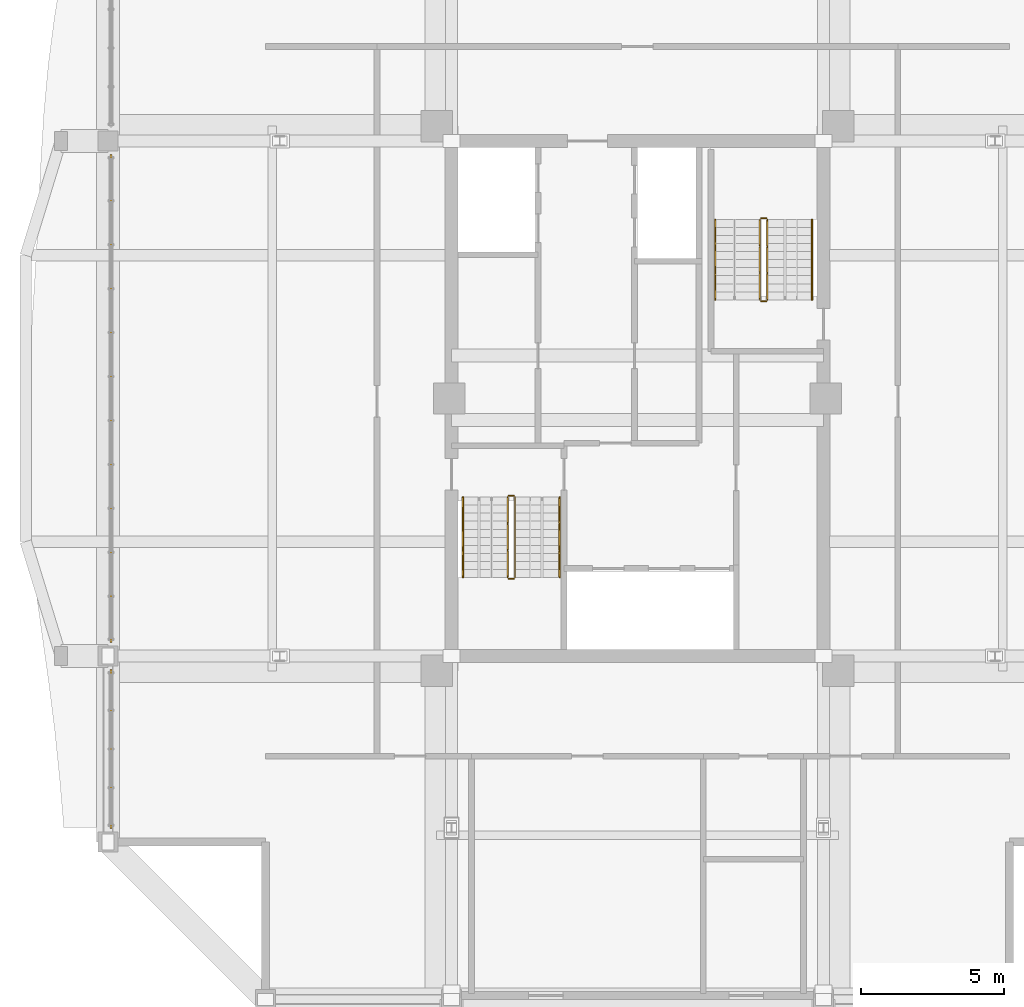
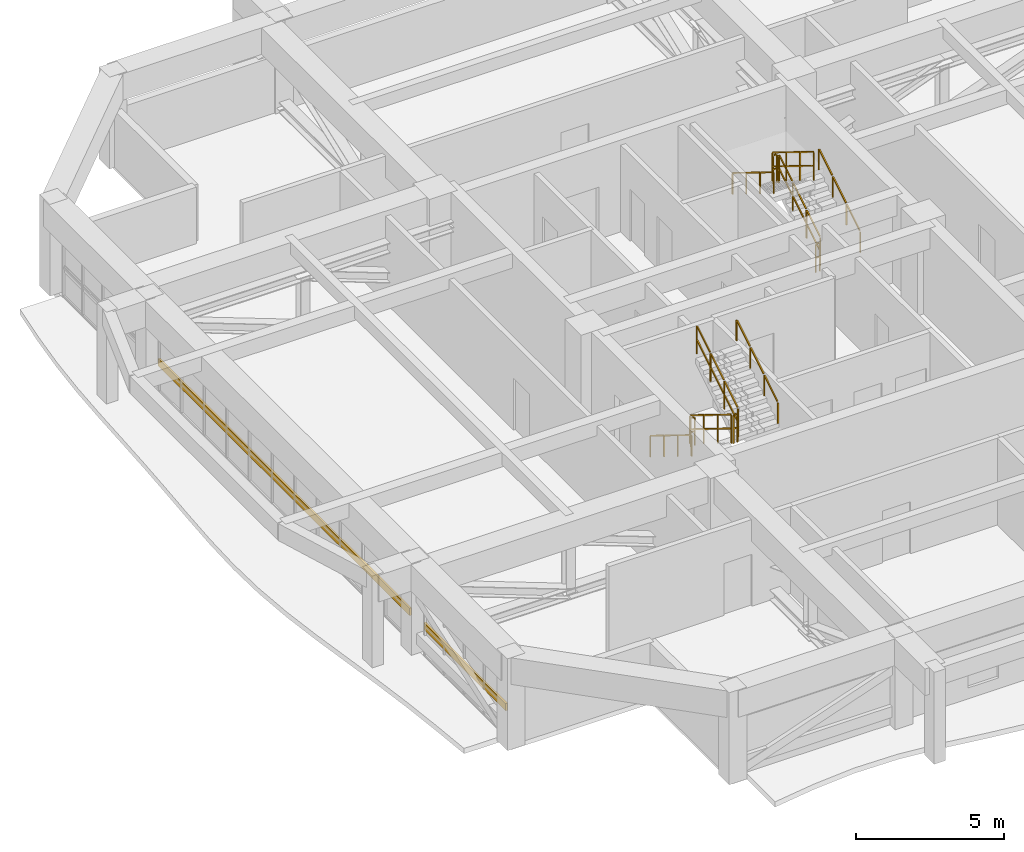
# One storey, part 24 of 25: 12 railings, 2 shading devices.
"""IFC4 building model written with IfcOpenShell, lengths in metres."""

from ifc_helpers import new_model, si_unit, direction, frame, origin, origin_2d, place, context, subcontext, project, spatial, rectangle, extrude, source, transform, mapped, material, material_profile, profile_set, type_object, element, save


model = new_model("IFC4")

# Units and contexts
model_context = context("Model", 3, precision=1e-05, world=origin(), true_north=direction((0.0, 1.0)))
body_context = subcontext(model_context, "Body", "Model", "MODEL_VIEW")
ifc_project = project(units=[si_unit("LENGTHUNIT", "METRE"), si_unit("AREAUNIT", "SQUARE_METRE"), si_unit("VOLUMEUNIT", "CUBIC_METRE"), si_unit("PLANEANGLEUNIT", "RADIAN"), si_unit("MASSUNIT", "GRAM", prefix="KILO")], contexts=[model_context])

# Site, building, storey
site_placement = place(None, origin())
site = spatial("IfcSite", under=ifc_project, at=site_placement, CompositionType="ELEMENT")
building_placement = place(site_placement, origin())
building = spatial("IfcBuilding", under=site, at=building_placement, Name="Saelheon Loggia Tower", CompositionType="ELEMENT")
storey_placement = place(building_placement, frame((0.0, 0.0, 206.5)))
storey = spatial("IfcBuildingStorey", under=building, at=storey_placement, Name="L64", CompositionType="ELEMENT", Elevation=206.5)

# Railings
ifc_material_1 = material(Name="Galvanised Steel S275 Stairwell Guardrail", Category="steel")
railing_type_1 = type_object("IfcRailingType", Name="Guard_StairWell_RL_STG", PredefinedType="GUARDRAIL", material=ifc_material_1)
railing_1_placement = place(storey_placement, frame((33.4599609375, 23.550048828125, 0.172607421875)))
element("IfcRailing", 1, at=railing_1_placement, inside=storey, type_object=railing_type_1, Name="L64 ST1 stair guard 1", PredefinedType="GUARDRAIL", context=body_context, shape_type="SweptSolid", body=[
    extrude(rectangle(XDim=0.048095703125, YDim=0.048095703125, at=origin_2d()), frame((0.0, -0.0283203125, 1.193359375), z_axis=(0.0, -0.851089632645, 0.525020415988), x_axis=(1.0, 0.0, 0.0)), (0.0, 0.0, 1.0), 1.0302734375),
    extrude(rectangle(XDim=0.048095703125, YDim=0.048095703125, at=origin_2d()), frame((0.0, -0.0283203125, 0.617431640625), z_axis=(0.0, -0.851089632645, 0.525020415988), x_axis=(1.0, 0.0, 0.0)), (0.0, 0.0, 1.0), 1.0302734375),
    extrude(rectangle(XDim=0.048095703125, YDim=0.048095703125, at=origin_2d()), frame((0.0, -0.961669921875, 1.76904296875), z_axis=(0.0, -0.851089632645, 0.525020415988), x_axis=(1.0, 0.0, 0.0)), (0.0, 0.0, 1.0), 1.0302734375),
    extrude(rectangle(XDim=0.048095703125, YDim=0.048095703125, at=origin_2d()), frame((0.0, -0.961669921875, 1.193115234375), z_axis=(0.0, -0.851089632645, 0.525020415988), x_axis=(1.0, 0.0, 0.0)), (0.0, 0.0, 1.0), 1.0302734375),
    extrude(rectangle(XDim=0.048095703125, YDim=0.048095703125, at=origin_2d()), frame((0.0, -1.89501953125, 2.344970703125), z_axis=(0.0, -0.851089632645, 0.525020415988), x_axis=(1.0, 0.0, 0.0)), (0.0, 0.0, 1.0), 1.0302734375),
    extrude(rectangle(XDim=0.048095703125, YDim=0.048095703125, at=origin_2d()), frame((0.0, -1.89501953125, 1.76904296875), z_axis=(0.0, -0.851089632645, 0.525020415988), x_axis=(1.0, 0.0, 0.0)), (0.0, 0.0, 1.0), 1.0302734375),
    extrude(rectangle(XDim=0.0419921875, YDim=0.0419921875, at=origin_2d()), origin(), (0.0, 0.0, 1.0), 1.14794921875),
    extrude(rectangle(XDim=0.0419921875, YDim=0.0419921875, at=origin_2d()), frame((0.0, -0.933349609375, 0.57568359375)), (0.0, 0.0, 1.0), 1.14794921875),
    extrude(rectangle(XDim=0.0419921875, YDim=0.0419921875, at=origin_2d()), frame((0.0, -1.86669921875, 1.151611328125)), (0.0, 0.0, 1.0), 1.14794921875),
    extrude(rectangle(XDim=0.0419921875, YDim=0.0419921875, at=origin_2d()), frame((0.0, -2.800048828125, 1.727294921875)), (0.0, 0.0, 1.0), 1.14794921875),
])
railing_2_placement = place(storey_placement, frame((33.510009765625, 20.699951171875, 1.89990234375)))
element("IfcRailing", 2, at=railing_2_placement, inside=storey, type_object=railing_type_1, Name="L64 ST1 stair guard 2", PredefinedType="GUARDRAIL", context=body_context, shape_type="SweptSolid", body=[
    extrude(rectangle(XDim=0.048095703125, YDim=0.048095703125, at=origin_2d()), frame((0.033203125, 0.0, 1.17578125), z_axis=(1.0, 0.0, 0.0), x_axis=(0.0, 1.0, 0.0)), (0.0, 0.0, 1.0), 0.093505859375),
    extrude(rectangle(XDim=0.048095703125, YDim=0.048095703125, at=origin_2d()), frame((0.033203125, 0.0, 0.60009765625), z_axis=(1.0, 0.0, 0.0), x_axis=(0.0, 1.0, 0.0)), (0.0, 0.0, 1.0), 0.093505859375),
    extrude(rectangle(XDim=0.0419921875, YDim=0.0419921875, at=origin_2d()), origin(), (0.0, 0.0, 1.0), 1.14794921875),
    extrude(rectangle(XDim=0.0419921875, YDim=0.0419921875, at=origin_2d()), frame((0.159912109375, 0.0, 0.0)), (0.0, 0.0, 1.0), 1.14794921875),
])
railing_3_placement = place(storey_placement, frame((33.719970703125, 20.75, 2.07275390625)))
element("IfcRailing", 3, at=railing_3_placement, inside=storey, type_object=railing_type_1, Name="L64 ST1 stair guard 3", PredefinedType="GUARDRAIL", context=body_context, shape_type="SweptSolid", body=[
    extrude(rectangle(XDim=0.048095703125, YDim=0.048095703125, at=origin_2d()), frame((0.0, 0.0283203125, 1.193359375), z_axis=(0.0, 0.851089632645, 0.525020415988), x_axis=(-1.0, 0.0, 0.0)), (0.0, 0.0, 1.0), 1.0302734375),
    extrude(rectangle(XDim=0.048095703125, YDim=0.048095703125, at=origin_2d()), frame((0.0, 0.0283203125, 0.617431640625), z_axis=(0.0, 0.851089632645, 0.525020415988), x_axis=(-1.0, 0.0, 0.0)), (0.0, 0.0, 1.0), 1.0302734375),
    extrude(rectangle(XDim=0.048095703125, YDim=0.048095703125, at=origin_2d()), frame((0.0, 0.961669921875, 1.76904296875), z_axis=(0.0, 0.851089632645, 0.525020415988), x_axis=(-1.0, 0.0, 0.0)), (0.0, 0.0, 1.0), 1.0302734375),
    extrude(rectangle(XDim=0.048095703125, YDim=0.048095703125, at=origin_2d()), frame((0.0, 0.961669921875, 1.193115234375), z_axis=(0.0, 0.851089632645, 0.525020415988), x_axis=(-1.0, 0.0, 0.0)), (0.0, 0.0, 1.0), 1.0302734375),
    extrude(rectangle(XDim=0.048095703125, YDim=0.048095703125, at=origin_2d()), frame((0.0, 1.89501953125, 2.344970703125), z_axis=(0.0, 0.851089632645, 0.525020415988), x_axis=(-1.0, 0.0, 0.0)), (0.0, 0.0, 1.0), 1.0302734375),
    extrude(rectangle(XDim=0.048095703125, YDim=0.048095703125, at=origin_2d()), frame((0.0, 1.89501953125, 1.76904296875), z_axis=(0.0, 0.851089632645, 0.525020415988), x_axis=(-1.0, 0.0, 0.0)), (0.0, 0.0, 1.0), 1.0302734375),
    extrude(rectangle(XDim=0.0419921875, YDim=0.0419921875, at=origin_2d()), origin(), (0.0, 0.0, 1.0), 1.14794921875),
    extrude(rectangle(XDim=0.0419921875, YDim=0.0419921875, at=origin_2d()), frame((0.0, 0.933349609375, 0.57568359375)), (0.0, 0.0, 1.0), 1.14794921875),
    extrude(rectangle(XDim=0.0419921875, YDim=0.0419921875, at=origin_2d()), frame((0.0, 1.86669921875, 1.151611328125)), (0.0, 0.0, 1.0), 1.14794921875),
    extrude(rectangle(XDim=0.0419921875, YDim=0.0419921875, at=origin_2d()), frame((0.0, 2.800048828125, 1.727294921875)), (0.0, 0.0, 1.0), 1.14794921875),
])
railing_4_placement = place(storey_placement, frame((33.510009765625, 23.60009765625, 0.0)))
element("IfcRailing", 4, at=railing_4_placement, inside=storey, type_object=railing_type_1, Name="L64 ST1 stair guard 4", PredefinedType="GUARDRAIL", context=body_context, shape_type="SweptSolid", body=[
    extrude(rectangle(XDim=0.048095703125, YDim=0.048095703125, at=origin_2d()), frame((0.033203125, 0.0, 1.17578125), z_axis=(1.0, 0.0, 0.0), x_axis=(0.0, 1.0, 0.0)), (0.0, 0.0, 1.0), 0.093505859375),
    extrude(rectangle(XDim=0.048095703125, YDim=0.048095703125, at=origin_2d()), frame((0.033203125, 0.0, 0.60009765625), z_axis=(1.0, 0.0, 0.0), x_axis=(0.0, 1.0, 0.0)), (0.0, 0.0, 1.0), 0.093505859375),
    extrude(rectangle(XDim=0.0419921875, YDim=0.0419921875, at=origin_2d()), origin(), (0.0, 0.0, 1.0), 1.14794921875),
    extrude(rectangle(XDim=0.0419921875, YDim=0.0419921875, at=origin_2d()), frame((0.159912109375, 0.0, 0.0)), (0.0, 0.0, 1.0), 1.14794921875),
])
railing_5_placement = place(storey_placement, frame((42.5400390625, 30.449951171875, 0.172607421875)))
element("IfcRailing", 5, at=railing_5_placement, inside=storey, type_object=railing_type_1, Name="L64 ST2 stair guard 1", PredefinedType="GUARDRAIL", context=body_context, shape_type="SweptSolid", body=[
    extrude(rectangle(XDim=0.048095703125, YDim=0.048095703125, at=origin_2d()), frame((0.0, 0.0283203125, 1.193359375), z_axis=(0.0, 0.851089632645, 0.525020415988), x_axis=(-1.0, 0.0, 0.0)), (0.0, 0.0, 1.0), 1.0302734375),
    extrude(rectangle(XDim=0.048095703125, YDim=0.048095703125, at=origin_2d()), frame((0.0, 0.0283203125, 0.617431640625), z_axis=(0.0, 0.851089632645, 0.525020415988), x_axis=(-1.0, 0.0, 0.0)), (0.0, 0.0, 1.0), 1.0302734375),
    extrude(rectangle(XDim=0.048095703125, YDim=0.048095703125, at=origin_2d()), frame((0.0, 0.961669921875, 1.76904296875), z_axis=(0.0, 0.851089632645, 0.525020415988), x_axis=(-1.0, 0.0, 0.0)), (0.0, 0.0, 1.0), 1.0302734375),
    extrude(rectangle(XDim=0.048095703125, YDim=0.048095703125, at=origin_2d()), frame((0.0, 0.961669921875, 1.193115234375), z_axis=(0.0, 0.851089632645, 0.525020415988), x_axis=(-1.0, 0.0, 0.0)), (0.0, 0.0, 1.0), 1.0302734375),
    extrude(rectangle(XDim=0.048095703125, YDim=0.048095703125, at=origin_2d()), frame((0.0, 1.89501953125, 2.344970703125), z_axis=(0.0, 0.851089632645, 0.525020415988), x_axis=(-1.0, 0.0, 0.0)), (0.0, 0.0, 1.0), 1.0302734375),
    extrude(rectangle(XDim=0.048095703125, YDim=0.048095703125, at=origin_2d()), frame((0.0, 1.89501953125, 1.76904296875), z_axis=(0.0, 0.851089632645, 0.525020415988), x_axis=(-1.0, 0.0, 0.0)), (0.0, 0.0, 1.0), 1.0302734375),
    extrude(rectangle(XDim=0.0419921875, YDim=0.0419921875, at=origin_2d()), origin(), (0.0, 0.0, 1.0), 1.14794921875),
    extrude(rectangle(XDim=0.0419921875, YDim=0.0419921875, at=origin_2d()), frame((0.0, 0.933349609375, 0.57568359375)), (0.0, 0.0, 1.0), 1.14794921875),
    extrude(rectangle(XDim=0.0419921875, YDim=0.0419921875, at=origin_2d()), frame((0.0, 1.86669921875, 1.151611328125)), (0.0, 0.0, 1.0), 1.14794921875),
    extrude(rectangle(XDim=0.0419921875, YDim=0.0419921875, at=origin_2d()), frame((0.0, 2.800048828125, 1.727294921875)), (0.0, 0.0, 1.0), 1.14794921875),
])
railing_6_placement = place(storey_placement, frame((42.489990234375, 33.300048828125, 1.89990234375)))
element("IfcRailing", 6, at=railing_6_placement, inside=storey, type_object=railing_type_1, Name="L64 ST2 stair guard 2", PredefinedType="GUARDRAIL", context=body_context, shape_type="SweptSolid", body=[
    extrude(rectangle(XDim=0.048095703125, YDim=0.048095703125, at=origin_2d()), frame((-0.033203125, 0.0, 1.17578125), z_axis=(-1.0, 0.0, 0.0), x_axis=(0.0, -1.0, 0.0)), (0.0, 0.0, 1.0), 0.093505859375),
    extrude(rectangle(XDim=0.048095703125, YDim=0.048095703125, at=origin_2d()), frame((-0.033203125, 0.0, 0.60009765625), z_axis=(-1.0, 0.0, 0.0), x_axis=(0.0, -1.0, 0.0)), (0.0, 0.0, 1.0), 0.093505859375),
    extrude(rectangle(XDim=0.0419921875, YDim=0.0419921875, at=origin_2d()), origin(), (0.0, 0.0, 1.0), 1.14794921875),
    extrude(rectangle(XDim=0.0419921875, YDim=0.0419921875, at=origin_2d()), frame((-0.159912109375, 0.0, 0.0)), (0.0, 0.0, 1.0), 1.14794921875),
])
railing_7_placement = place(storey_placement, frame((42.280029296875, 33.25, 2.07275390625)))
element("IfcRailing", 7, at=railing_7_placement, inside=storey, type_object=railing_type_1, Name="L64 ST2 stair guard 3", PredefinedType="GUARDRAIL", context=body_context, shape_type="SweptSolid", body=[
    extrude(rectangle(XDim=0.048095703125, YDim=0.048095703125, at=origin_2d()), frame((0.0, -0.0283203125, 1.193359375), z_axis=(0.0, -0.851089632645, 0.525020415988), x_axis=(1.0, 0.0, 0.0)), (0.0, 0.0, 1.0), 1.0302734375),
    extrude(rectangle(XDim=0.048095703125, YDim=0.048095703125, at=origin_2d()), frame((0.0, -0.0283203125, 0.617431640625), z_axis=(0.0, -0.851089632645, 0.525020415988), x_axis=(1.0, 0.0, 0.0)), (0.0, 0.0, 1.0), 1.0302734375),
    extrude(rectangle(XDim=0.048095703125, YDim=0.048095703125, at=origin_2d()), frame((0.0, -0.961669921875, 1.76904296875), z_axis=(0.0, -0.851089632645, 0.525020415988), x_axis=(1.0, 0.0, 0.0)), (0.0, 0.0, 1.0), 1.0302734375),
    extrude(rectangle(XDim=0.048095703125, YDim=0.048095703125, at=origin_2d()), frame((0.0, -0.961669921875, 1.193115234375), z_axis=(0.0, -0.851089632645, 0.525020415988), x_axis=(1.0, 0.0, 0.0)), (0.0, 0.0, 1.0), 1.0302734375),
    extrude(rectangle(XDim=0.048095703125, YDim=0.048095703125, at=origin_2d()), frame((0.0, -1.89501953125, 2.344970703125), z_axis=(0.0, -0.851089632645, 0.525020415988), x_axis=(1.0, 0.0, 0.0)), (0.0, 0.0, 1.0), 1.0302734375),
    extrude(rectangle(XDim=0.048095703125, YDim=0.048095703125, at=origin_2d()), frame((0.0, -1.89501953125, 1.76904296875), z_axis=(0.0, -0.851089632645, 0.525020415988), x_axis=(1.0, 0.0, 0.0)), (0.0, 0.0, 1.0), 1.0302734375),
    extrude(rectangle(XDim=0.0419921875, YDim=0.0419921875, at=origin_2d()), origin(), (0.0, 0.0, 1.0), 1.14794921875),
    extrude(rectangle(XDim=0.0419921875, YDim=0.0419921875, at=origin_2d()), frame((0.0, -0.933349609375, 0.57568359375)), (0.0, 0.0, 1.0), 1.14794921875),
    extrude(rectangle(XDim=0.0419921875, YDim=0.0419921875, at=origin_2d()), frame((0.0, -1.86669921875, 1.151611328125)), (0.0, 0.0, 1.0), 1.14794921875),
    extrude(rectangle(XDim=0.0419921875, YDim=0.0419921875, at=origin_2d()), frame((0.0, -2.800048828125, 1.727294921875)), (0.0, 0.0, 1.0), 1.14794921875),
])
railing_8_placement = place(storey_placement, frame((42.489990234375, 30.39990234375, 0.0)))
element("IfcRailing", 8, at=railing_8_placement, inside=storey, type_object=railing_type_1, Name="L64 ST2 stair guard 4", PredefinedType="GUARDRAIL", context=body_context, shape_type="SweptSolid", body=[
    extrude(rectangle(XDim=0.048095703125, YDim=0.048095703125, at=origin_2d()), frame((-0.033203125, 0.0, 1.17578125), z_axis=(-1.0, 0.0, 0.0), x_axis=(0.0, -1.0, 0.0)), (0.0, 0.0, 1.0), 0.093505859375),
    extrude(rectangle(XDim=0.048095703125, YDim=0.048095703125, at=origin_2d()), frame((-0.033203125, 0.0, 0.60009765625), z_axis=(-1.0, 0.0, 0.0), x_axis=(0.0, -1.0, 0.0)), (0.0, 0.0, 1.0), 0.093505859375),
    extrude(rectangle(XDim=0.0419921875, YDim=0.0419921875, at=origin_2d()), origin(), (0.0, 0.0, 1.0), 1.14794921875),
    extrude(rectangle(XDim=0.0419921875, YDim=0.0419921875, at=origin_2d()), frame((-0.159912109375, 0.0, 0.0)), (0.0, 0.0, 1.0), 1.14794921875),
])
ifc_material_2 = material(Name="Stainless Steel 304 Tubular Handrail", Category="steel")
railing_type_2 = type_object("IfcRailingType", Name="Handrail_Stair_RL_HR1", PredefinedType="HANDRAIL", material=ifc_material_2)
railing_9_placement = place(storey_placement, frame((31.89990234375, 23.550048828125, 0.172607421875)))
element("IfcRailing", 9, at=railing_9_placement, inside=storey, type_object=railing_type_2, Name="L64 ST1 stair handrail 1", PredefinedType="HANDRAIL", context=body_context, shape_type="SweptSolid", body=[
    extrude(rectangle(XDim=0.048095703125, YDim=0.048095703125, at=origin_2d()), frame((0.0, -0.0283203125, 0.893310546875), z_axis=(0.0, -0.851089632645, 0.525020415988), x_axis=(1.0, 0.0, 0.0)), (0.0, 0.0, 1.0), 1.0302734375),
    extrude(rectangle(XDim=0.048095703125, YDim=0.048095703125, at=origin_2d()), frame((0.0, -0.961669921875, 1.468994140625), z_axis=(0.0, -0.851089632645, 0.525020415988), x_axis=(1.0, 0.0, 0.0)), (0.0, 0.0, 1.0), 1.0302734375),
    extrude(rectangle(XDim=0.048095703125, YDim=0.048095703125, at=origin_2d()), frame((0.0, -1.89501953125, 2.044921875), z_axis=(0.0, -0.851089632645, 0.525020415988), x_axis=(1.0, 0.0, 0.0)), (0.0, 0.0, 1.0), 1.0302734375),
    extrude(rectangle(XDim=0.0419921875, YDim=0.0419921875, at=origin_2d()), origin(), (0.0, 0.0, 1.0), 0.847900390625),
    extrude(rectangle(XDim=0.0419921875, YDim=0.0419921875, at=origin_2d()), frame((0.0, -0.933349609375, 0.57568359375)), (0.0, 0.0, 1.0), 0.847900390625),
    extrude(rectangle(XDim=0.0419921875, YDim=0.0419921875, at=origin_2d()), frame((0.0, -1.86669921875, 1.151611328125)), (0.0, 0.0, 1.0), 0.847900390625),
    extrude(rectangle(XDim=0.0419921875, YDim=0.0419921875, at=origin_2d()), frame((0.0, -2.800048828125, 1.727294921875)), (0.0, 0.0, 1.0), 0.847900390625),
])
for number, where, name in (
    (10, (35.280029296875, 20.75, 2.07275390625), "L64 ST1 stair handrail 2"),
    (11, (44.10009765625, 30.449951171875, 0.172607421875), "L64 ST2 stair handrail 1"),
):
    element("IfcRailing", number, at=place(storey_placement, frame(where)), inside=storey, type_object=railing_type_2, Name=name, PredefinedType="HANDRAIL", context=body_context, shape_type="SweptSolid", body=[
        extrude(rectangle(XDim=0.048095703125, YDim=0.048095703125, at=origin_2d()), frame((0.0, 0.0283203125, 0.893310546875), z_axis=(0.0, 0.851089632645, 0.525020415988), x_axis=(-1.0, 0.0, 0.0)), (0.0, 0.0, 1.0), 1.0302734375),
        extrude(rectangle(XDim=0.048095703125, YDim=0.048095703125, at=origin_2d()), frame((0.0, 0.961669921875, 1.468994140625), z_axis=(0.0, 0.851089632645, 0.525020415988), x_axis=(-1.0, 0.0, 0.0)), (0.0, 0.0, 1.0), 1.0302734375),
        extrude(rectangle(XDim=0.048095703125, YDim=0.048095703125, at=origin_2d()), frame((0.0, 1.89501953125, 2.044921875), z_axis=(0.0, 0.851089632645, 0.525020415988), x_axis=(-1.0, 0.0, 0.0)), (0.0, 0.0, 1.0), 1.0302734375),
        extrude(rectangle(XDim=0.0419921875, YDim=0.0419921875, at=origin_2d()), origin(), (0.0, 0.0, 1.0), 0.847900390625),
        extrude(rectangle(XDim=0.0419921875, YDim=0.0419921875, at=origin_2d()), frame((0.0, 0.933349609375, 0.57568359375)), (0.0, 0.0, 1.0), 0.847900390625),
        extrude(rectangle(XDim=0.0419921875, YDim=0.0419921875, at=origin_2d()), frame((0.0, 1.86669921875, 1.151611328125)), (0.0, 0.0, 1.0), 0.847900390625),
        extrude(rectangle(XDim=0.0419921875, YDim=0.0419921875, at=origin_2d()), frame((0.0, 2.800048828125, 1.727294921875)), (0.0, 0.0, 1.0), 0.847900390625),
    ])
railing_10_placement = place(storey_placement, frame((40.719970703125, 33.25, 2.07275390625)))
element("IfcRailing", 12, at=railing_10_placement, inside=storey, type_object=railing_type_2, Name="L64 ST2 stair handrail 2", PredefinedType="HANDRAIL", context=body_context, shape_type="SweptSolid", body=[
    extrude(rectangle(XDim=0.048095703125, YDim=0.048095703125, at=origin_2d()), frame((0.0, -0.0283203125, 0.893310546875), z_axis=(0.0, -0.851089632645, 0.525020415988), x_axis=(1.0, 0.0, 0.0)), (0.0, 0.0, 1.0), 1.0302734375),
    extrude(rectangle(XDim=0.048095703125, YDim=0.048095703125, at=origin_2d()), frame((0.0, -0.961669921875, 1.468994140625), z_axis=(0.0, -0.851089632645, 0.525020415988), x_axis=(1.0, 0.0, 0.0)), (0.0, 0.0, 1.0), 1.0302734375),
    extrude(rectangle(XDim=0.048095703125, YDim=0.048095703125, at=origin_2d()), frame((0.0, -1.89501953125, 2.044921875), z_axis=(0.0, -0.851089632645, 0.525020415988), x_axis=(1.0, 0.0, 0.0)), (0.0, 0.0, 1.0), 1.0302734375),
    extrude(rectangle(XDim=0.0419921875, YDim=0.0419921875, at=origin_2d()), origin(), (0.0, 0.0, 1.0), 0.847900390625),
    extrude(rectangle(XDim=0.0419921875, YDim=0.0419921875, at=origin_2d()), frame((0.0, -0.933349609375, 0.57568359375)), (0.0, 0.0, 1.0), 0.847900390625),
    extrude(rectangle(XDim=0.0419921875, YDim=0.0419921875, at=origin_2d()), frame((0.0, -1.86669921875, 1.151611328125)), (0.0, 0.0, 1.0), 0.847900390625),
    extrude(rectangle(XDim=0.0419921875, YDim=0.0419921875, at=origin_2d()), frame((0.0, -2.800048828125, 1.727294921875)), (0.0, 0.0, 1.0), 0.847900390625),
])

# Shading devices
ifc_material_3 = material(Name="Bronze-Anodised Aluminium 6063-T6", Category="aluminium")
ifc_material_profile = material_profile(ifc_material_3, rectangle(XDim=0.080078125, YDim=0.300048828125, at=origin_2d()), Name="Louvre_Refuge_LV_RF1")
ifc_profile_set = profile_set([ifc_material_profile], Name="Bronze-Anodised Aluminium 6063-T6")
shading_device_type = type_object("IfcShadingDeviceType", Name="Louvre_Refuge_LV_RF1", PredefinedType="JALOUSIE", material=ifc_profile_set)
shared_shape_1 = source(origin(), body_context, "Body", "SweptSolid", [
    extrude(rectangle(XDim=0.080078125, YDim=0.300048828125, at=origin_2d()), origin(), (0.0, 0.0, 1.0), 17.0400390625),
])
shading_device_1_placement = place(storey_placement, frame((19.60009765625, 18.47998046875, 1.14990234375), z_axis=(0.0, 1.0, 0.0), x_axis=(-1.0, 0.0, 0.0)))
element("IfcShadingDevice", 13, at=shading_device_1_placement, inside=storey, type_object=shading_device_type, Name="L64 Refuge Acoustic Louvre Blade", PredefinedType="JALOUSIE", context=body_context, shape_type="MappedRepresentation", body=[
    mapped(shared_shape_1, transform((0.0, 0.0, 0.0), scale=1.0)),
])
shared_shape_2 = source(origin(), body_context, "Body", "SweptSolid", [
    extrude(rectangle(XDim=0.080078125, YDim=0.300048828125, at=origin_2d()), origin(), (0.0, 0.0, 1.0), 5.5400390625),
])
shading_device_2_placement = place(storey_placement, frame((19.60009765625, 11.97998046875, 1.14990234375), z_axis=(0.0, 1.0, 0.0), x_axis=(-1.0, 0.0, 0.0)))
element("IfcShadingDevice", 14, at=shading_device_2_placement, inside=storey, type_object=shading_device_type, Name="L64 Refuge Acoustic Louvre Blade", PredefinedType="JALOUSIE", context=body_context, shape_type="MappedRepresentation", body=[
    mapped(shared_shape_2, transform((0.0, 0.0, 0.0), scale=1.0)),
])

save(model, "model.ifc")
